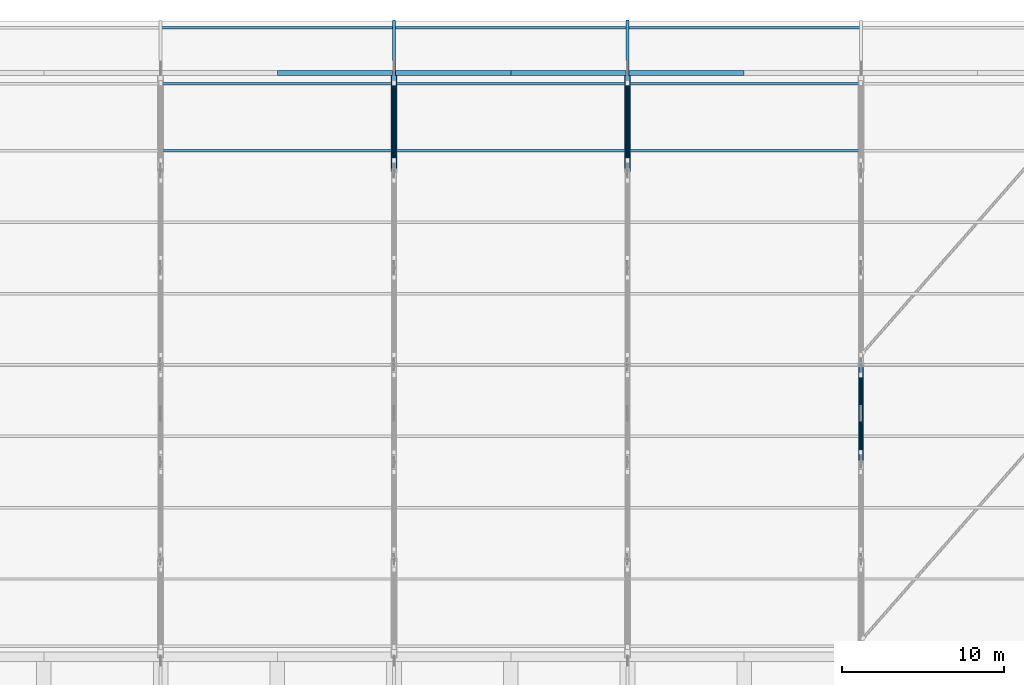
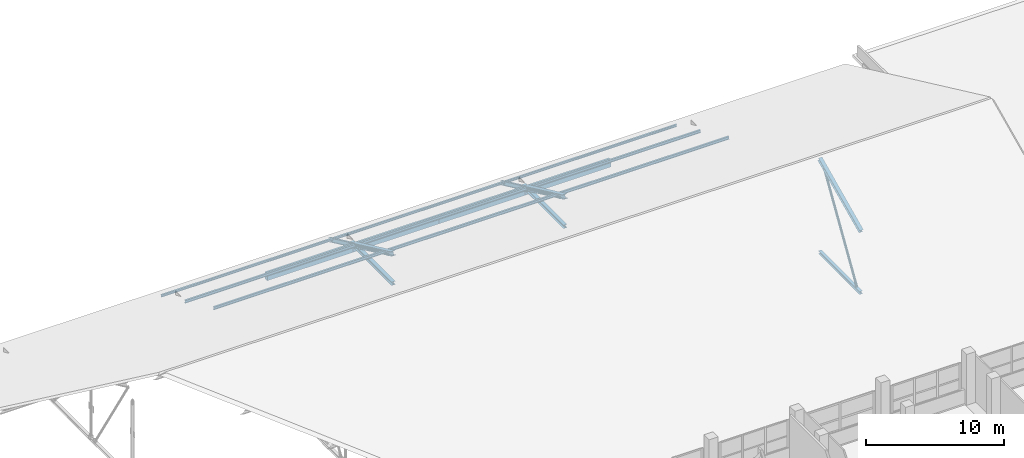
# One storey, part 108 of 141: 20 members, 4 beams, 3 elements without a shape of their own.
"""IFC4 building model written with IfcOpenShell, lengths in metres."""

from ifc_helpers import new_model, si_unit, direction, frame, origin, origin_2d, place, context, subcontext, project, spatial, rectangle, hollow_circle, i_section, extrude, material, material_profile, profile_set, type_object, element, aggregate, save


model = new_model("IFC4")

# Units and contexts
model_context = context("Model", 3, precision=1e-05, world=origin(), true_north=direction((0.0, 1.0)))
body_context = subcontext(model_context, "Body", "Model", "MODEL_VIEW")
ifc_project = project(units=[si_unit("LENGTHUNIT", "METRE"), si_unit("AREAUNIT", "SQUARE_METRE"), si_unit("VOLUMEUNIT", "CUBIC_METRE"), si_unit("PLANEANGLEUNIT", "RADIAN"), si_unit("MASSUNIT", "GRAM", prefix="KILO")], contexts=[model_context])

# Site, building, storey
site_placement = place(None, origin())
site = spatial("IfcSite", under=ifc_project, at=site_placement, CompositionType="ELEMENT")
building_placement = place(site_placement, origin())
building = spatial("IfcBuilding", under=site, at=building_placement, Name="Seraya Terrace Polytechnic", CompositionType="ELEMENT")
storey_placement = place(building_placement, frame((0.0, 0.0, 14.39990234375)))
storey = spatial("IfcBuildingStorey", under=building, at=storey_placement, Name="L03", CompositionType="ELEMENT", Elevation=14.39990234375)

# Assembly, member
ifc_material_1 = material(Name="Steel S355J2", Category="steel")
element_assembly_type = type_object("IfcElementAssemblyType", Name="TR-A1", PredefinedType="TRUSS", material=ifc_material_1)
assembly_1_placement = place(storey_placement, origin())
assembly_1 = element("IfcElementAssembly", 1, at=assembly_1_placement, inside=storey, type_object=element_assembly_type, Name="Pitched steel roof truss TR-05", AssemblyPlace="SITE", PredefinedType="TRUSS")
ifc_material_profile_1 = material_profile(ifc_material_1, i_section(OverallWidth=0.304931640625, OverallDepth=0.304931640625, WebThickness=0.014892578125, FlangeThickness=0.023681640625, at=origin_2d()), Name="UKC 305x305x14.9x23.8")
ifc_profile_set_1 = profile_set([ifc_material_profile_1], Name="Steel S355J2")
member_type_1 = type_object("IfcMemberType", Name="BC-01", PredefinedType="CHORD", material=ifc_profile_set_1)
member_1_placement = place(storey_placement, frame((72.0, 109.199951171875, 0.150146484375), z_axis=(0.0, 1.0, 0.0), x_axis=(-1.0, 0.0, 0.0)))
member_1 = element("IfcMember", 2, at=member_1_placement, type_object=member_type_1, Name="TR-05 bottom chord 6", PredefinedType="CHORD", context=body_context, shape_type="SweptSolid", body=[
    extrude(i_section(OverallWidth=0.304931640625, OverallDepth=0.304931640625, WebThickness=0.014892578125, FlangeThickness=0.023681640625, at=origin_2d()), origin(), (0.0, 0.0, 1.0), 6.0),
])

assembly_2_placement = place(storey_placement, origin())
assembly_2 = element("IfcElementAssembly", 3, at=assembly_2_placement, inside=storey, type_object=element_assembly_type, Name="Pitched steel roof truss TR-06", AssemblyPlace="SITE", PredefinedType="TRUSS")
member_2_placement = place(storey_placement, frame((86.39990234375, 109.199951171875, 0.150146484375), z_axis=(0.0, 1.0, 0.0), x_axis=(-1.0, 0.0, 0.0)))
member_2 = element("IfcMember", 4, at=member_2_placement, type_object=member_type_1, Name="TR-06 bottom chord 6", PredefinedType="CHORD", context=body_context, shape_type="SweptSolid", body=[
    extrude(i_section(OverallWidth=0.304931640625, OverallDepth=0.304931640625, WebThickness=0.014892578125, FlangeThickness=0.023681640625, at=origin_2d()), origin(), (0.0, 0.0, 1.0), 6.0),
])

assembly_3_placement = place(storey_placement, origin())
assembly_3 = element("IfcElementAssembly", 5, at=assembly_3_placement, inside=storey, type_object=element_assembly_type, Name="Pitched steel roof truss TR-07", AssemblyPlace="SITE", PredefinedType="TRUSS")
ifc_material_profile_2 = material_profile(ifc_material_1, i_section(OverallWidth=0.25390625, OverallDepth=0.25390625, WebThickness=0.0107421875, FlangeThickness=0.017333984375, at=origin_2d()), Name="UKC 254x254x10.7x17.3")
ifc_profile_set_2 = profile_set([ifc_material_profile_2], Name="Steel S355J2")
member_type_2 = type_object("IfcMemberType", Name="BC-02", PredefinedType="CHORD", material=ifc_profile_set_2)
member_3_placement = place(storey_placement, frame((100.800048828125, 91.199951171875, 0.150146484375), z_axis=(0.0, 1.0, 0.0), x_axis=(-1.0, 0.0, 0.0)))
member_3 = element("IfcMember", 6, at=member_3_placement, type_object=member_type_2, Name="TR-07 bottom chord 3", PredefinedType="CHORD", context=body_context, shape_type="SweptSolid", body=[
    extrude(i_section(OverallWidth=0.25390625, OverallDepth=0.25390625, WebThickness=0.0107421875, FlangeThickness=0.017333984375, at=origin_2d()), origin(), (0.0, 0.0, 1.0), 6.0),
])

# Member
ifc_material_profile_3 = material_profile(ifc_material_1, hollow_circle(Radius=0.109619140625, WallThickness=0.010009765625, at=origin_2d()), Name="CHS 219.1x10.0")
ifc_profile_set_3 = profile_set([ifc_material_profile_3], Name="Steel S355J2")
member_type_3 = type_object("IfcMemberType", Name="BR-01", PredefinedType="BRACE", material=ifc_profile_set_3)
member_4_placement = place(storey_placement, frame((72.0, 109.820068359375, 2.31884765625), z_axis=(0.0, 0.921775035169, -0.387725140453), x_axis=(-1.0, 0.0, 0.0)))
member_4 = element("IfcMember", 7, at=member_4_placement, type_object=member_type_3, Name="TR-05 web diagonal 6", PredefinedType="BRACE", context=body_context, shape_type="SweptSolid", body=[
    extrude(hollow_circle(Radius=0.109619140625, WallThickness=0.010009765625, at=origin_2d()), origin(), (0.0, 0.0, 1.0), 5.1640625),
])

member_5_placement = place(storey_placement, frame((86.39990234375, 109.820068359375, 2.31884765625), z_axis=(0.0, 0.921775035169, -0.387725140453), x_axis=(-1.0, 0.0, 0.0)))
member_5 = element("IfcMember", 8, at=member_5_placement, type_object=member_type_3, Name="TR-06 web diagonal 6", PredefinedType="BRACE", context=body_context, shape_type="SweptSolid", body=[
    extrude(hollow_circle(Radius=0.109619140625, WallThickness=0.010009765625, at=origin_2d()), origin(), (0.0, 0.0, 1.0), 5.1640625),
])

ifc_material_profile_4 = material_profile(ifc_material_1, hollow_circle(Radius=0.096923828125, WallThickness=0.010009765625, at=origin_2d()), Name="CHS 193.7x10.0")
ifc_profile_set_4 = profile_set([ifc_material_profile_4], Name="Steel S355J2")
member_type_4 = type_object("IfcMemberType", Name="BR-02", PredefinedType="BRACE", material=ifc_profile_set_4)
member_6_placement = place(storey_placement, frame((100.800048828125, 91.820068359375, 0.291015625), z_axis=(0.0, 0.528137409747, 0.84915892295), x_axis=(-1.0, 0.0, 0.0)))
member_6 = element("IfcMember", 9, at=member_6_placement, type_object=member_type_4, Name="TR-07 web diagonal 3", PredefinedType="BRACE", context=body_context, shape_type="SweptSolid", body=[
    extrude(hollow_circle(Radius=0.096923828125, WallThickness=0.010009765625, at=origin_2d()), origin(), (0.0, 0.0, 1.0), 9.012939453125),
])

# Members
ifc_material_profile_5 = material_profile(ifc_material_1, i_section(OverallWidth=0.14599609375, OverallDepth=0.25390625, WebThickness=0.007080078125, FlangeThickness=0.01416015625, at=origin_2d()), Name="UKB 254x146x7.2x14.2")
ifc_profile_set_5 = profile_set([ifc_material_profile_5], Name="Steel S355J2")
member_type_5 = type_object("IfcMemberType", Name="PR-01", PredefinedType="PURLIN", material=ifc_profile_set_5)
for number, where, z_axis, x_axis, name in (
    (10, (57.60009765625, 110.39990234375, 2.270263671875), (1.0, 0.0, 0.0), (0.0, 1.0, 0.0), "Workshop roof purlin PR-01 bay 4.9"),
    (11, (57.60009765625, 114.550048828125, 0.33349609375), (1.0, 0.0, 0.0), (0.0, 1.0, 0.0), "Workshop roof purlin PR-01 bay 4.10"),
    (12, (72.0, 110.39990234375, 2.270263671875), (1.0, 0.0, 0.0), (0.0, 1.0, 0.0), "Workshop roof purlin PR-01 bay 5.9"),
    (13, (72.0, 114.550048828125, 0.33349609375), (1.0, 0.0, 0.0), (0.0, 1.0, 0.0), "Workshop roof purlin PR-01 bay 5.10"),
):
    element("IfcMember", number, at=place(storey_placement, frame(where, z_axis=z_axis, x_axis=x_axis)), inside=storey, type_object=member_type_5, Name=name, PredefinedType="PURLIN", context=body_context, shape_type="SweptSolid", body=[
        extrude(i_section(OverallWidth=0.14599609375, OverallDepth=0.25390625, WebThickness=0.007080078125, FlangeThickness=0.01416015625, at=origin_2d()), origin(), (0.0, 0.0, 1.0), 14.39990234375),
    ])
for number, where, z_axis, x_axis, name in (
    (14, (86.39990234375, 110.39990234375, 2.270263671875), (1.0, 0.0, 0.0), (0.0, 1.0, 0.0), "Workshop roof purlin PR-01 bay 6.9"),
    (15, (86.39990234375, 114.550048828125, 0.33349609375), (1.0, 0.0, 0.0), (0.0, 1.0, 0.0), "Workshop roof purlin PR-01 bay 6.10"),
):
    element("IfcMember", number, at=place(storey_placement, frame(where, z_axis=z_axis, x_axis=x_axis)), inside=storey, type_object=member_type_5, Name=name, PredefinedType="PURLIN", context=body_context, shape_type="SweptSolid", body=[
        extrude(i_section(OverallWidth=0.14599609375, OverallDepth=0.25390625, WebThickness=0.007080078125, FlangeThickness=0.01416015625, at=origin_2d()), origin(), (0.0, 0.0, 1.0), 14.400146484375),
    ])
ifc_material_profile_6 = material_profile(ifc_material_1, i_section(OverallWidth=0.133056640625, OverallDepth=0.202880859375, WebThickness=0.00634765625, FlangeThickness=0.01171875, at=origin_2d()), Name="UKB 203x133x6.4x11.8")
ifc_profile_set_6 = profile_set([ifc_material_profile_6], Name="Steel S355J2")
member_type_6 = type_object("IfcMemberType", Name="PR-02", PredefinedType="PURLIN", material=ifc_profile_set_6)
for number, where, z_axis, x_axis, name in (
    (16, (57.60009765625, 118.0, -1.247802734375), (1.0, 0.0, 0.0), (0.0, 1.0, 0.0), "Workshop roof purlin PR-02 bay 4.11"),
    (17, (72.0, 118.0, -1.247802734375), (1.0, 0.0, 0.0), (0.0, 1.0, 0.0), "Workshop roof purlin PR-02 bay 5.11"),
):
    element("IfcMember", number, at=place(storey_placement, frame(where, z_axis=z_axis, x_axis=x_axis)), inside=storey, type_object=member_type_6, Name=name, PredefinedType="PURLIN", context=body_context, shape_type="SweptSolid", body=[
        extrude(i_section(OverallWidth=0.133056640625, OverallDepth=0.202880859375, WebThickness=0.00634765625, FlangeThickness=0.01171875, at=origin_2d()), origin(), (0.0, 0.0, 1.0), 14.39990234375),
    ])
member_7_placement = place(storey_placement, frame((86.39990234375, 118.0, -1.247802734375), z_axis=(1.0, 0.0, 0.0), x_axis=(0.0, 1.0, 0.0)))
element("IfcMember", 18, at=member_7_placement, inside=storey, type_object=member_type_6, Name="Workshop roof purlin PR-02 bay 6.11", PredefinedType="PURLIN", context=body_context, shape_type="SweptSolid", body=[
    extrude(i_section(OverallWidth=0.133056640625, OverallDepth=0.202880859375, WebThickness=0.00634765625, FlangeThickness=0.01171875, at=origin_2d()), origin(), (0.0, 0.0, 1.0), 14.400146484375),
])

# Member
ifc_material_profile_7 = material_profile(ifc_material_1, i_section(OverallWidth=0.1708984375, OverallDepth=0.35595703125, WebThickness=0.009033203125, FlangeThickness=0.015625, at=origin_2d()), Name="UKB 356x171x9.1x15.7")
ifc_profile_set_7 = profile_set([ifc_material_profile_7], Name="Steel S355J2")
member_type_7 = type_object("IfcMemberType", Name="RF-01", PredefinedType="RAFTER", material=ifc_profile_set_7)
member_8_placement = place(storey_placement, frame((72.0, 115.199951171875, -0.052001953125), z_axis=(0.0, 0.906199036176, -0.422851400416), x_axis=(-1.0, 0.0, 0.0)))
member_8 = element("IfcMember", 19, at=member_8_placement, type_object=member_type_7, Name="TR-05 North monsoon eave rafter", PredefinedType="RAFTER", context=body_context, shape_type="SweptSolid", body=[
    extrude(i_section(OverallWidth=0.1708984375, OverallDepth=0.35595703125, WebThickness=0.009033203125, FlangeThickness=0.015625, at=origin_2d()), origin(), (0.0, 0.0, 1.0), 3.53125),
])

member_9_placement = place(storey_placement, frame((86.39990234375, 115.199951171875, -0.052001953125), z_axis=(0.0, 0.906199036176, -0.422851400416), x_axis=(-1.0, 0.0, 0.0)))
member_9 = element("IfcMember", 20, at=member_9_placement, type_object=member_type_7, Name="TR-06 North monsoon eave rafter", PredefinedType="RAFTER", context=body_context, shape_type="SweptSolid", body=[
    extrude(i_section(OverallWidth=0.1708984375, OverallDepth=0.35595703125, WebThickness=0.009033203125, FlangeThickness=0.015625, at=origin_2d()), origin(), (0.0, 0.0, 1.0), 3.53125),
])

# Beams
ifc_material_2 = material(Name="Concrete C40/50", Category="concrete")
ifc_material_profile_8 = material_profile(ifc_material_2, rectangle(XDim=0.300048828125, YDim=0.64990234375, at=origin_2d()), Name="RC 300x650")
ifc_profile_set_8 = profile_set([ifc_material_profile_8], Name="Concrete C40/50")
beam_type = type_object("IfcBeamType", Name="SP-01", PredefinedType="SPANDREL", material=ifc_profile_set_8)
for number, where, z_axis, x_axis, name in (
    (21, (64.800048828125, 115.199951171875, -0.324951171875), (1.0, 0.0, 0.0), (0.0, 1.0, 0.0), "Beam SP-01 L03 X (64.8..72.0, 115.2)"),
    (22, (72.0, 115.199951171875, -0.324951171875), (1.0, 0.0, 0.0), (0.0, 1.0, 0.0), "Beam SP-01 L03 X (72.0..79.2, 115.2)"),
    (23, (79.199951171875, 115.199951171875, -0.324951171875), (1.0, 0.0, 0.0), (0.0, 1.0, 0.0), "Beam SP-01 L03 X (79.2..86.4, 115.2)"),
):
    element("IfcBeam", number, at=place(storey_placement, frame(where, z_axis=z_axis, x_axis=x_axis)), inside=storey, type_object=beam_type, Name=name, PredefinedType="SPANDREL", context=body_context, shape_type="SweptSolid", body=[
        extrude(rectangle(XDim=0.300048828125, YDim=0.64990234375, at=origin_2d()), origin(), (0.0, 0.0, 1.0), 7.199951171875),
    ])
beam_placement = place(storey_placement, frame((86.39990234375, 115.199951171875, -0.324951171875), z_axis=(1.0, 0.0, 0.0), x_axis=(0.0, 1.0, 0.0)))
element("IfcBeam", 24, at=beam_placement, inside=storey, type_object=beam_type, Name="Beam SP-01 L03 X (86.4..93.6, 115.2)", PredefinedType="SPANDREL", context=body_context, shape_type="SweptSolid", body=[
    extrude(rectangle(XDim=0.300048828125, YDim=0.64990234375, at=origin_2d()), origin(), (0.0, 0.0, 1.0), 7.2001953125),
])

# Member
ifc_material_profile_9 = material_profile(ifc_material_1, i_section(OverallWidth=0.367919921875, OverallDepth=0.35595703125, WebThickness=0.014892578125, FlangeThickness=0.0244140625, at=origin_2d()), Name="UKC 356x368x15.0x24.4")
ifc_profile_set_9 = profile_set([ifc_material_profile_9], Name="Steel S355J2")
member_type_8 = type_object("IfcMemberType", Name="TC-01", PredefinedType="CHORD", material=ifc_profile_set_9)
member_10_placement = place(storey_placement, frame((72.0, 109.199951171875, 2.800048828125), z_axis=(0.0, 0.906180313975, -0.422891521036), x_axis=(-1.0, 0.0, 0.0)))
member_10 = element("IfcMember", 25, at=member_10_placement, type_object=member_type_8, Name="TR-05 top chord 6", PredefinedType="CHORD", context=body_context, shape_type="SweptSolid", body=[
    extrude(i_section(OverallWidth=0.367919921875, OverallDepth=0.35595703125, WebThickness=0.014892578125, FlangeThickness=0.0244140625, at=origin_2d()), origin(), (0.0, 0.0, 1.0), 6.62109375),
])

aggregate(assembly_1, [member_1, member_10, member_4, member_8])

member_11_placement = place(storey_placement, frame((86.39990234375, 109.199951171875, 2.800048828125), z_axis=(0.0, 0.906180313975, -0.422891521036), x_axis=(-1.0, 0.0, 0.0)))
member_11 = element("IfcMember", 26, at=member_11_placement, type_object=member_type_8, Name="TR-06 top chord 6", PredefinedType="CHORD", context=body_context, shape_type="SweptSolid", body=[
    extrude(i_section(OverallWidth=0.367919921875, OverallDepth=0.35595703125, WebThickness=0.014892578125, FlangeThickness=0.0244140625, at=origin_2d()), origin(), (0.0, 0.0, 1.0), 6.62109375),
])

aggregate(assembly_2, [member_2, member_11, member_5, member_9])

ifc_material_profile_10 = material_profile(ifc_material_1, i_section(OverallWidth=0.304931640625, OverallDepth=0.304931640625, WebThickness=0.011962890625, FlangeThickness=0.019775390625, at=origin_2d()), Name="UKC 305x305x12.0x19.7")
ifc_profile_set_10 = profile_set([ifc_material_profile_10], Name="Steel S355J2")
member_type_9 = type_object("IfcMemberType", Name="TC-02", PredefinedType="CHORD", material=ifc_profile_set_10)
member_12_placement = place(storey_placement, frame((100.800048828125, 91.199951171875, 5.60009765625), z_axis=(0.0, 0.906180313975, 0.422891521036), x_axis=(-1.0, 0.0, 0.0)))
member_12 = element("IfcMember", 27, at=member_12_placement, type_object=member_type_9, Name="TR-07 top chord 3", PredefinedType="CHORD", context=body_context, shape_type="SweptSolid", body=[
    extrude(i_section(OverallWidth=0.304931640625, OverallDepth=0.304931640625, WebThickness=0.011962890625, FlangeThickness=0.019775390625, at=origin_2d()), origin(), (0.0, 0.0, 1.0), 6.62109375),
])

aggregate(assembly_3, [member_3, member_12, member_6])

save(model, "model.ifc")
